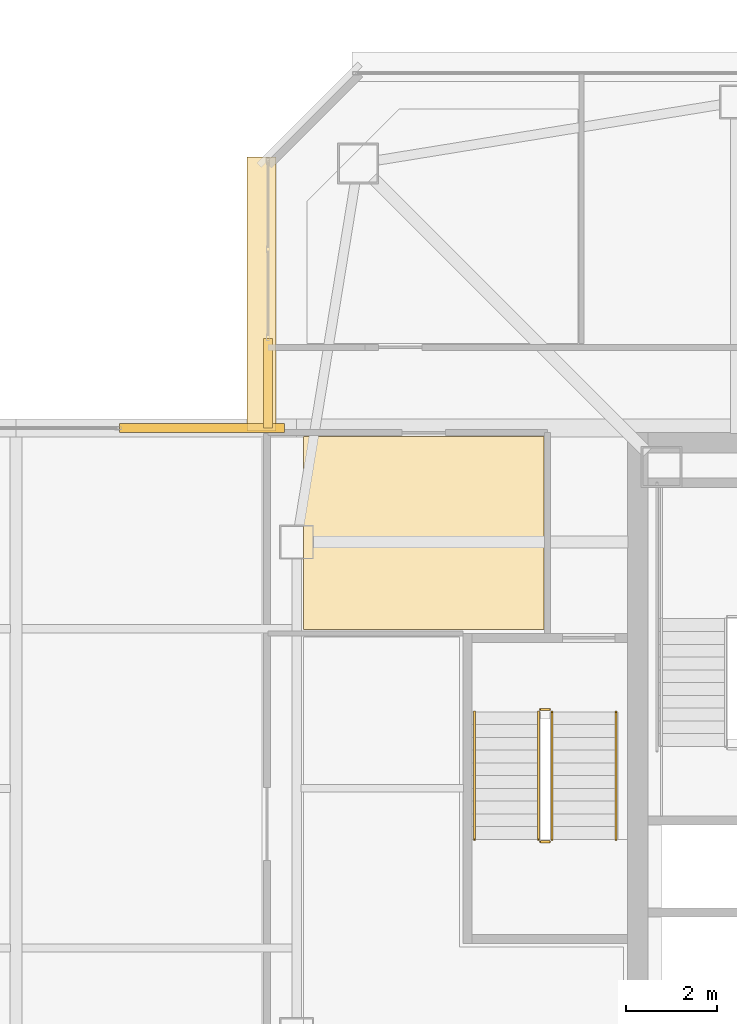
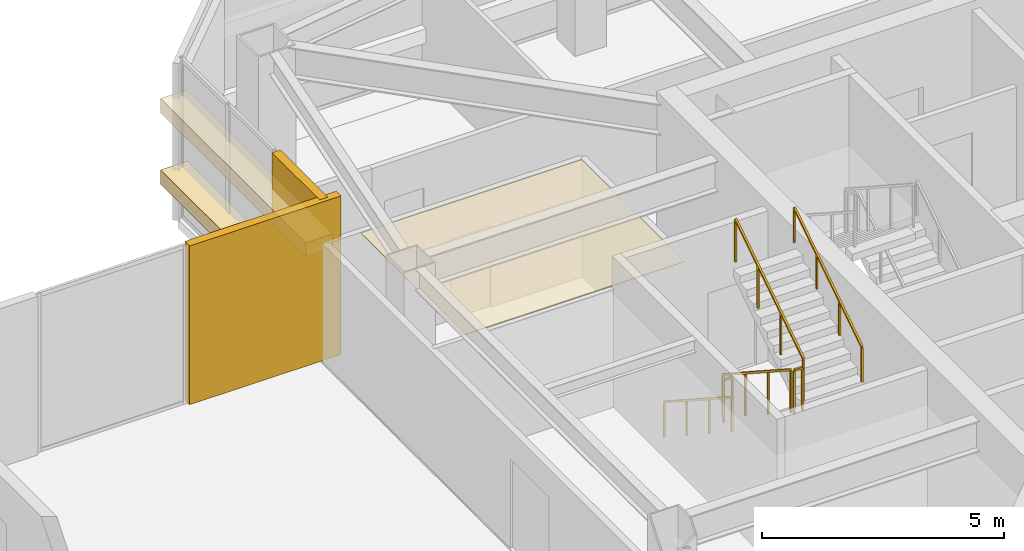
# One storey, part 45 of 51: 6 railings, 5 coverings.
"""IFC4 building model written with IfcOpenShell, lengths in metres."""

from ifc_helpers import new_model, si_unit, direction, frame, origin, origin_2d, place, context, subcontext, project, spatial, polyline, rectangle, outline, extrude, material, layer, layer_set, type_object, element, save


model = new_model("IFC4")

# Units and contexts
model_context = context("Model", 3, precision=1e-05, world=origin(), true_north=direction((0.0, 1.0)))
body_context = subcontext(model_context, "Body", "Model", "MODEL_VIEW")
ifc_project = project(units=[si_unit("LENGTHUNIT", "METRE"), si_unit("AREAUNIT", "SQUARE_METRE"), si_unit("VOLUMEUNIT", "CUBIC_METRE"), si_unit("PLANEANGLEUNIT", "RADIAN"), si_unit("MASSUNIT", "GRAM", prefix="KILO")], contexts=[model_context])

# Site, building, storey
site_placement = place(None, origin())
site = spatial("IfcSite", under=ifc_project, at=site_placement, CompositionType="ELEMENT")
building_placement = place(site_placement, origin())
building = spatial("IfcBuilding", under=site, at=building_placement, Name="Tashvorn Skyway Center", CompositionType="ELEMENT")
storey_placement = place(building_placement, frame((0.0, 0.0, 251.39990234375)))
storey = spatial("IfcBuildingStorey", under=building, at=storey_placement, Name="L68", CompositionType="ELEMENT", Elevation=251.39990234375)

# Coverings
ifc_material_1 = material(Name="Precast concrete C40/50", Category="concrete")
ifc_layer_1 = layer(ifc_material_1, 0.199951171875)
ifc_layer_set_1 = layer_set([ifc_layer_1], Name="Precast concrete C40/50")
covering_type_1 = type_object("IfcCoveringType", Name="COV-BRACE-CLAD", PredefinedType="CLADDING", material=ifc_layer_set_1)
covering_1_placement = place(storey_placement, frame((26.320068359375, 40.8798828125, 0.0), z_axis=(0.0, 0.0, 1.0), x_axis=(0.0, 1.0, 0.0)))
element("IfcCovering", 1, at=covering_1_placement, inside=storey, type_object=covering_type_1, Name="Tower 1 L68 West Curtain Wall B Mega-Brace Cladding Band 1", PredefinedType="CLADDING", context=body_context, shape_type="SweptSolid", body=[
    extrude(rectangle(XDim=1.9599609375, YDim=0.199951171875, at=origin_2d()), origin(), (0.0, 0.0, 1.0), 4.0),
])
covering_2_placement = place(storey_placement, frame((24.873291015625, 39.89990234375, 0.0), z_axis=(0.0, 0.0, 1.0), x_axis=(1.0, 0.0, 0.0)))
element("IfcCovering", 2, at=covering_2_placement, inside=storey, type_object=covering_type_1, Name="Sky-Park L68 Cantilever Gallery North Curtain Wall Mega-Brace Cladding Band 2", PredefinedType="CLADDING", context=body_context, shape_type="SweptSolid", body=[
    extrude(rectangle(XDim=3.61328125, YDim=0.199951171875, at=origin_2d()), origin(), (0.0, 0.0, 1.0), 4.0),
])
ifc_material_2 = material(Name="Mineral-fibre acoustic ceiling tile on suspended grid")
ifc_layer_2 = layer(ifc_material_2, 0.02001953125)
ifc_layer_set_2 = layer_set([ifc_layer_2], Name="Mineral-fibre acoustic ceiling tile on suspended grid")
covering_type_2 = type_object("IfcCoveringType", Name="COV-CEIL-20", PredefinedType="CEILING", material=ifc_layer_set_2)
covering_3_placement = place(storey_placement, frame((0.0, 0.0, 2.951171875)))
element("IfcCovering", 3, at=covering_3_placement, inside=storey, type_object=covering_type_2, Name="Tower 1 L68 Security Control Room Acoustic Ceiling", PredefinedType="CEILING", context=body_context, shape_type="SweptSolid", body=[
    extrude(outline(polyline([(32.3701171875, 39.719970703125), (32.3701171875, 35.47998046875), (27.10009765625, 35.47998046875), (27.10009765625, 39.719970703125), (32.3701171875, 39.719970703125)])), origin(), (0.0, 0.0, 1.0), 0.02001953125),
])
ifc_material_3 = material(Name="Perforated ceramic-coated bronze aluminium solar screen", Category="aluminium")
ifc_layer_3 = layer(ifc_material_3, 0.85009765625)
ifc_layer_set_3 = layer_set([ifc_layer_3], Name="Perforated ceramic-coated bronze aluminium solar screen")
covering_type_3 = type_object("IfcCoveringType", Name="COV-SOLAR-BAND", PredefinedType="CLADDING", material=ifc_layer_set_3)
for number, where, z_axis, x_axis, name in (
    (4, (26.179931640625, 42.840087890625, 0.919921875), (0.0, 0.0, 1.0), (0.0, 1.0, 0.0), "L68 Perforated Ceramic-Metal Solar Screen Louvre Band West 1"),
    (5, (26.179931640625, 42.840087890625, 2.72021484375), (0.0, 0.0, 1.0), (0.0, 1.0, 0.0), "L68 Perforated Ceramic-Metal Solar Screen Louvre Band West 2"),
):
    element("IfcCovering", number, at=place(storey_placement, frame(where, z_axis=z_axis, x_axis=x_axis)), inside=storey, type_object=covering_type_3, Name=name, PredefinedType="CLADDING", context=body_context, shape_type="SweptSolid", body=[
        extrude(rectangle(XDim=6.0, YDim=0.639892578125, at=origin_2d()), origin(), (0.0, 0.0, 1.0), 0.360107421875),
    ])

# Railings
ifc_material_4 = material(Name="Brushed stainless steel 316", Category="steel")
railing_type_1 = type_object("IfcRailingType", Name="RAIL-HAND-920", PredefinedType="HANDRAIL", material=ifc_material_4)
railing_1_placement = place(storey_placement, frame((30.85009765625, 33.679931640625, 0.181884765625)))
element("IfcRailing", 6, at=railing_1_placement, inside=storey, type_object=railing_type_1, Name="L68 ST-T1-3 stair handrail 1", PredefinedType="HANDRAIL", context=body_context, shape_type="SweptSolid", body=[
    extrude(rectangle(XDim=0.048095703125, YDim=0.048095703125, at=origin_2d()), frame((0.0, 0.0, 0.8759765625), z_axis=(0.0, -0.838705829183, 0.544584733623), x_axis=(1.0, 0.0, 0.0)), (0.0, 0.0, 1.0), 3.338623046875),
    extrude(rectangle(XDim=0.0419921875, YDim=0.0419921875, at=origin_2d()), origin(), (0.0, 0.0, 1.0), 0.851806640625),
    extrude(rectangle(XDim=0.0419921875, YDim=0.0419921875, at=origin_2d()), frame((0.0, -0.933349609375, 0.60595703125)), (0.0, 0.0, 1.0), 0.851806640625),
    extrude(rectangle(XDim=0.0419921875, YDim=0.0419921875, at=origin_2d()), frame((0.0, -1.86669921875, 1.212158203125)), (0.0, 0.0, 1.0), 0.851806640625),
    extrude(rectangle(XDim=0.0419921875, YDim=0.0419921875, at=origin_2d()), frame((0.0, -2.800048828125, 1.818115234375)), (0.0, 0.0, 1.0), 0.851806640625),
])
railing_2_placement = place(storey_placement, frame((33.949951171875, 30.8798828125, 2.181884765625)))
element("IfcRailing", 7, at=railing_2_placement, inside=storey, type_object=railing_type_1, Name="L68 ST-T1-3 stair handrail 2", PredefinedType="HANDRAIL", context=body_context, shape_type="SweptSolid", body=[
    extrude(rectangle(XDim=0.048095703125, YDim=0.048095703125, at=origin_2d()), frame((0.0, 0.0, 0.8759765625), z_axis=(0.0, 0.838705829183, 0.544584733623), x_axis=(-1.0, 0.0, 0.0)), (0.0, 0.0, 1.0), 3.338623046875),
    extrude(rectangle(XDim=0.0419921875, YDim=0.0419921875, at=origin_2d()), origin(), (0.0, 0.0, 1.0), 0.851806640625),
    extrude(rectangle(XDim=0.0419921875, YDim=0.0419921875, at=origin_2d()), frame((0.0, 0.933349609375, 0.60595703125)), (0.0, 0.0, 1.0), 0.851806640625),
    extrude(rectangle(XDim=0.0419921875, YDim=0.0419921875, at=origin_2d()), frame((0.0, 1.86669921875, 1.212158203125)), (0.0, 0.0, 1.0), 0.851806640625),
    extrude(rectangle(XDim=0.0419921875, YDim=0.0419921875, at=origin_2d()), frame((0.0, 2.800048828125, 1.818115234375)), (0.0, 0.0, 1.0), 0.851806640625),
])
ifc_material_5 = material(Name="Painted galvanized steel S355", Category="steel")
railing_type_2 = type_object("IfcRailingType", Name="RAIL-STGUARD-1100", PredefinedType="GUARDRAIL", material=ifc_material_5)
railing_3_placement = place(storey_placement, frame((32.25, 33.679931640625, 0.181884765625)))
element("IfcRailing", 8, at=railing_3_placement, inside=storey, type_object=railing_type_2, Name="L68 ST-T1-3 stair guard 1", PredefinedType="GUARDRAIL", context=body_context, shape_type="SweptSolid", body=[
    extrude(rectangle(XDim=0.048095703125, YDim=0.048095703125, at=origin_2d()), frame((0.0, 0.0, 1.076171875), z_axis=(0.0, -0.838705829183, 0.544584733623), x_axis=(1.0, 0.0, 0.0)), (0.0, 0.0, 1.0), 3.338623046875),
    extrude(rectangle(XDim=0.0419921875, YDim=0.0419921875, at=origin_2d()), origin(), (0.0, 0.0, 1.0), 1.052001953125),
    extrude(rectangle(XDim=0.0419921875, YDim=0.0419921875, at=origin_2d()), frame((0.0, -0.933349609375, 0.60595703125)), (0.0, 0.0, 1.0), 1.052001953125),
    extrude(rectangle(XDim=0.0419921875, YDim=0.0419921875, at=origin_2d()), frame((0.0, -1.86669921875, 1.212158203125)), (0.0, 0.0, 1.0), 1.052001953125),
    extrude(rectangle(XDim=0.0419921875, YDim=0.0419921875, at=origin_2d()), frame((0.0, -2.800048828125, 1.818115234375)), (0.0, 0.0, 1.0), 1.052001953125),
])
railing_4_placement = place(storey_placement, frame((32.300048828125, 30.830078125, 2.0)))
element("IfcRailing", 9, at=railing_4_placement, inside=storey, type_object=railing_type_2, Name="L68 ST-T1-3 stair guard 2", PredefinedType="GUARDRAIL", context=body_context, shape_type="SweptSolid", body=[
    extrude(rectangle(XDim=0.048095703125, YDim=0.048095703125, at=origin_2d()), frame((0.0, 0.0, 1.076171875), z_axis=(1.0, 0.0, 0.0), x_axis=(0.0, 1.0, 0.0)), (0.0, 0.0, 1.0), 0.199951171875),
    extrude(rectangle(XDim=0.0419921875, YDim=0.0419921875, at=origin_2d()), origin(), (0.0, 0.0, 1.0), 1.052001953125),
    extrude(rectangle(XDim=0.0419921875, YDim=0.0419921875, at=origin_2d()), frame((0.199951171875, 0.0, 0.0)), (0.0, 0.0, 1.0), 1.052001953125),
])
railing_5_placement = place(storey_placement, frame((32.550048828125, 30.8798828125, 2.181884765625)))
element("IfcRailing", 10, at=railing_5_placement, inside=storey, type_object=railing_type_2, Name="L68 ST-T1-3 stair guard 3", PredefinedType="GUARDRAIL", context=body_context, shape_type="SweptSolid", body=[
    extrude(rectangle(XDim=0.048095703125, YDim=0.048095703125, at=origin_2d()), frame((0.0, 0.0, 1.076171875), z_axis=(0.0, 0.838705829183, 0.544584733623), x_axis=(-1.0, 0.0, 0.0)), (0.0, 0.0, 1.0), 3.338623046875),
    extrude(rectangle(XDim=0.0419921875, YDim=0.0419921875, at=origin_2d()), origin(), (0.0, 0.0, 1.0), 1.052001953125),
    extrude(rectangle(XDim=0.0419921875, YDim=0.0419921875, at=origin_2d()), frame((0.0, 0.933349609375, 0.60595703125)), (0.0, 0.0, 1.0), 1.052001953125),
    extrude(rectangle(XDim=0.0419921875, YDim=0.0419921875, at=origin_2d()), frame((0.0, 1.86669921875, 1.212158203125)), (0.0, 0.0, 1.0), 1.052001953125),
    extrude(rectangle(XDim=0.0419921875, YDim=0.0419921875, at=origin_2d()), frame((0.0, 2.800048828125, 1.818115234375)), (0.0, 0.0, 1.0), 1.052001953125),
])
railing_6_placement = place(storey_placement, frame((32.300048828125, 33.72998046875, 0.0)))
element("IfcRailing", 11, at=railing_6_placement, inside=storey, type_object=railing_type_2, Name="L68 ST-T1-3 stair guard 4", PredefinedType="GUARDRAIL", context=body_context, shape_type="SweptSolid", body=[
    extrude(rectangle(XDim=0.048095703125, YDim=0.048095703125, at=origin_2d()), frame((0.0, 0.0, 1.076171875), z_axis=(1.0, 0.0, 0.0), x_axis=(0.0, 1.0, 0.0)), (0.0, 0.0, 1.0), 0.199951171875),
    extrude(rectangle(XDim=0.0419921875, YDim=0.0419921875, at=origin_2d()), origin(), (0.0, 0.0, 1.0), 1.052001953125),
    extrude(rectangle(XDim=0.0419921875, YDim=0.0419921875, at=origin_2d()), frame((0.199951171875, 0.0, 0.0)), (0.0, 0.0, 1.0), 1.052001953125),
])

save(model, "model.ifc")
